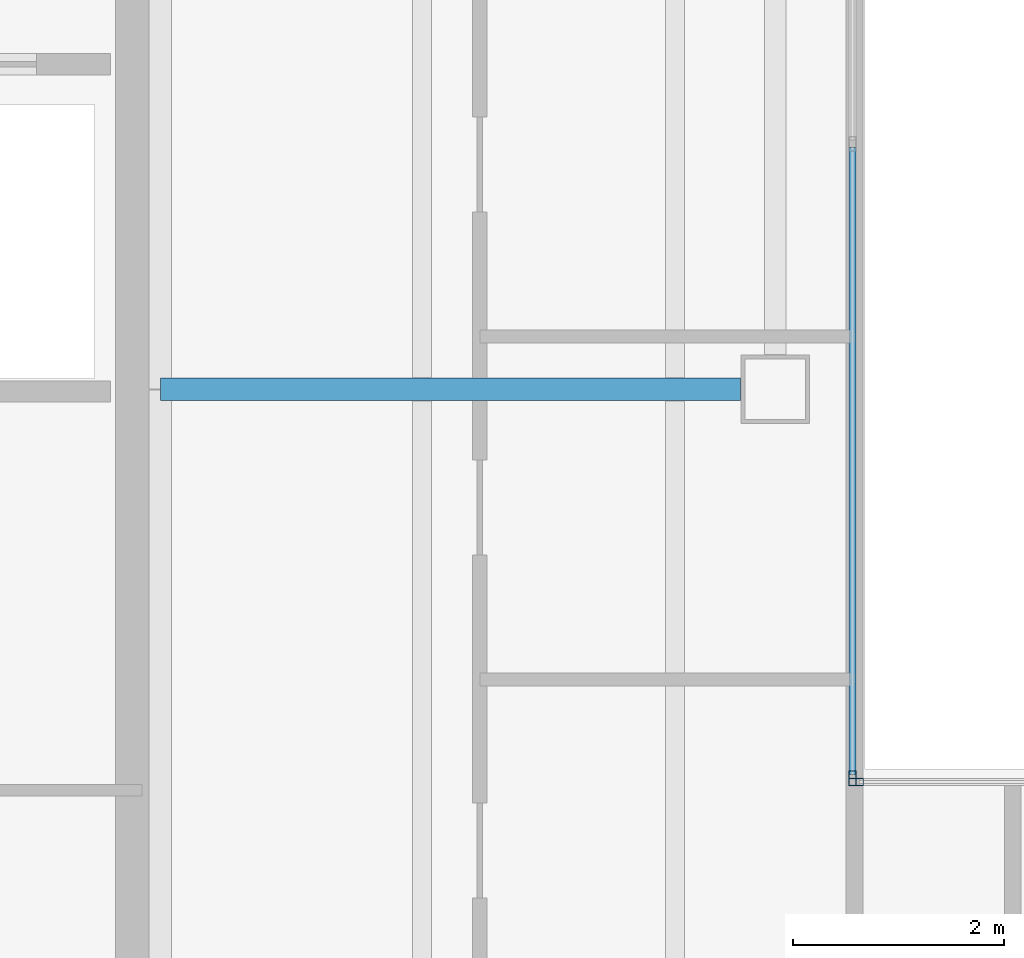
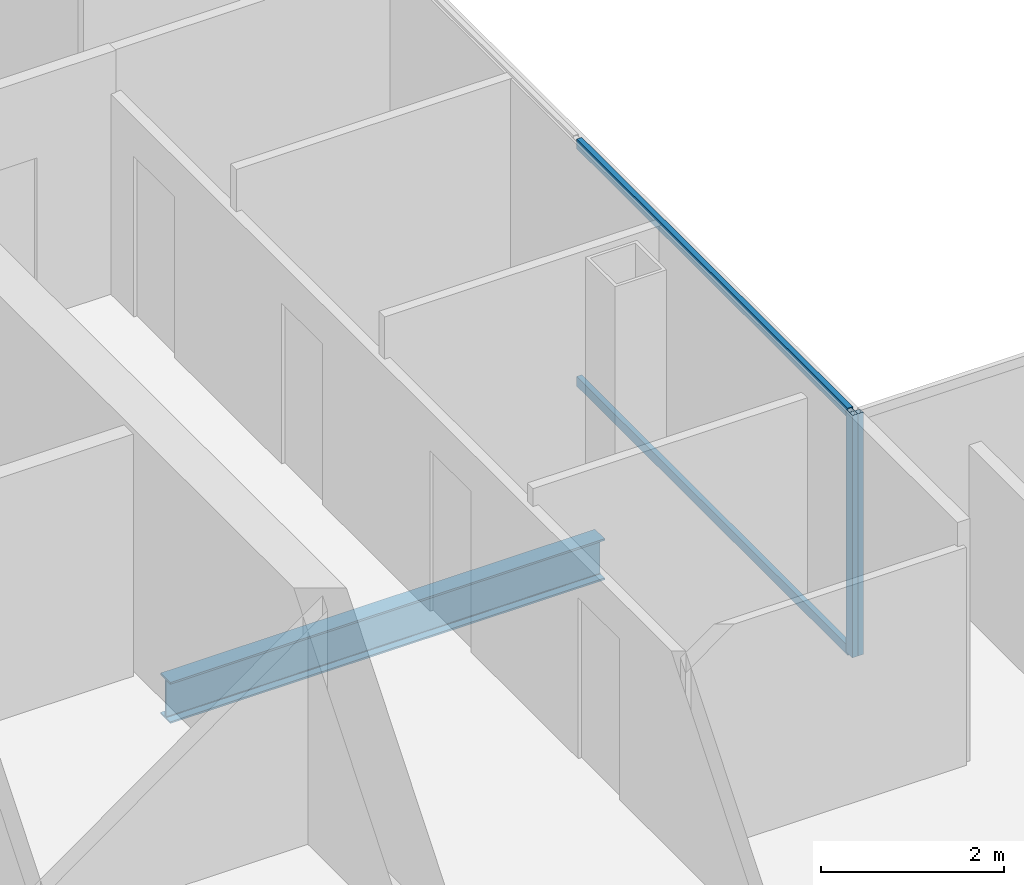
# One storey, part 8 of 24: 4 members, 1 beam, 2 elements without a shape of their own.
"""IFC4 building model written with IfcOpenShell, lengths in metres."""

from ifc_helpers import new_model, si_unit, direction, frame, origin, origin_2d, place, context, subcontext, project, spatial, hollow_rectangle, i_section, extrude, material, material_profile, profile_set, type_object, element, aggregate, save


model = new_model("IFC4")

# Units and contexts
model_context = context("Model", 3, precision=1e-05, world=origin(), true_north=direction((0.0, 1.0)))
body_context = subcontext(model_context, "Body", "Model", "MODEL_VIEW")
ifc_project = project(units=[si_unit("LENGTHUNIT", "METRE"), si_unit("AREAUNIT", "SQUARE_METRE"), si_unit("VOLUMEUNIT", "CUBIC_METRE"), si_unit("PLANEANGLEUNIT", "RADIAN"), si_unit("MASSUNIT", "GRAM", prefix="KILO")], contexts=[model_context])

# Site, building, storey
site_placement = place(None, origin())
site = spatial("IfcSite", under=ifc_project, at=site_placement, CompositionType="ELEMENT")
building_placement = place(site_placement, origin())
building = spatial("IfcBuilding", under=site, at=building_placement, Name="Cobrela Telecom Tower", CompositionType="ELEMENT")
storey_placement = place(building_placement, frame((0.0, 0.0, 290.14990234375)))
storey = spatial("IfcBuildingStorey", under=building, at=storey_placement, Name="L76", CompositionType="ELEMENT", Elevation=290.14990234375)

# Beam
ifc_material_1 = material(Name="Steel ASTM A992 Grade 50", Category="steel")
ifc_material_profile_1 = material_profile(ifc_material_1, i_section(OverallWidth=0.212890625, OverallDepth=0.549072265625, WebThickness=0.0146484375, FlangeThickness=0.023681640625, FilletRadius=0.013916015625, at=origin_2d()), Name="W21X93")
ifc_profile_set_1 = profile_set([ifc_material_profile_1], Name="Steel ASTM A992 Grade 50")
beam_type = type_object("IfcBeamType", Name="BM-GIRD-08", PredefinedType="USERDEFINED", material=ifc_profile_set_1)
beam_placement = place(storey_placement, frame((14.324951171875, 28.800048828125, -0.534423828125), z_axis=(1.0, 0.0, 0.0), x_axis=(0.0, 1.0, 0.0)))
element("IfcBeam", 1, at=beam_placement, inside=storey, type_object=beam_type, Name="L76 Primary Girder X15", ObjectType="GIRDER", PredefinedType="USERDEFINED", context=body_context, shape_type="SweptSolid", body=[
    extrude(i_section(OverallWidth=0.212890625, OverallDepth=0.549072265625, WebThickness=0.0146484375, FlangeThickness=0.023681640625, FilletRadius=0.013916015625, at=origin_2d()), origin(), (0.0, 0.0, 1.0), 5.4951171875),
])

# Curtain wall, member
ifc_material_2 = material(Name="Anodized Bronze Aluminium 6063-T6", Category="aluminium")
curtain_wall_type = type_object("IfcCurtainWallType", Name="CW-SYS-OFF-HI", PredefinedType="USERDEFINED", material=ifc_material_2)
curtain_wall_1_placement = place(storey_placement, origin())
curtain_wall_1 = element("IfcCurtainWall", 2, at=curtain_wall_1_placement, inside=storey, type_object=curtain_wall_type, Name="L76 Unitised Bronze Curtain Wall 08", ObjectType="UNITISED CURTAIN WALL", PredefinedType="USERDEFINED")
ifc_material_profile_2 = material_profile(ifc_material_2, hollow_rectangle(XDim=0.070068359375, YDim=0.139892578125, WallThickness=0.00390625, at=origin_2d()), Name="ALU 70x140x4")
ifc_profile_set_2 = profile_set([ifc_material_profile_2], Name="Anodized Bronze Aluminium 6063-T6")
member_type_1 = type_object("IfcMemberType", Name="CW-SYS-OFF-HI-MUL", PredefinedType="MULLION", material=ifc_profile_set_2)
member_1_placement = place(storey_placement, frame((20.8798828125, 25.114990234375, 0.0), z_axis=(0.0, 0.0, 1.0), x_axis=(1.0, 0.0, 0.0)))
member_1 = element("IfcMember", 3, at=member_1_placement, type_object=member_type_1, Name="CW-OFF-HI mullion 3", PredefinedType="MULLION", context=body_context, shape_type="SweptSolid", body=[
    extrude(hollow_rectangle(XDim=0.070068359375, YDim=0.139892578125, WallThickness=0.00390625, at=origin_2d()), origin(), (0.0, 0.0, 1.0), 3.239990234375),
])

curtain_wall_2_placement = place(storey_placement, origin())
curtain_wall_2 = element("IfcCurtainWall", 4, at=curtain_wall_2_placement, inside=storey, type_object=curtain_wall_type, Name="L76 Unitised Bronze Curtain Wall 09", ObjectType="UNITISED CURTAIN WALL", PredefinedType="USERDEFINED")
member_2_placement = place(storey_placement, frame((20.9150390625, 25.080078125, 0.0), z_axis=(0.0, 0.0, 1.0), x_axis=(0.0, 1.0, 0.0)))
member_2 = element("IfcMember", 5, at=member_2_placement, type_object=member_type_1, Name="CW-OFF-HI mullion 1", PredefinedType="MULLION", context=body_context, shape_type="SweptSolid", body=[
    extrude(hollow_rectangle(XDim=0.070068359375, YDim=0.139892578125, WallThickness=0.00390625, at=origin_2d()), origin(), (0.0, 0.0, 1.0), 3.239990234375),
])
aggregate(curtain_wall_2, [member_2])

# Member
ifc_material_profile_3 = material_profile(ifc_material_2, hollow_rectangle(XDim=0.06494140625, YDim=0.1298828125, WallThickness=0.00390625, at=origin_2d()), Name="ALU 65x130x4")
ifc_profile_set_3 = profile_set([ifc_material_profile_3], Name="Anodized Bronze Aluminium 6063-T6")
member_type_2 = type_object("IfcMemberType", Name="CW-SYS-OFF-HI-TRN", PredefinedType="USERDEFINED", material=ifc_profile_set_3)
member_3_placement = place(storey_placement, frame((20.8798828125, 31.090087890625, 0.03271484375), z_axis=(0.0, -1.0, 0.0), x_axis=(1.0, 0.0, 0.0)))
member_3 = element("IfcMember", 6, at=member_3_placement, type_object=member_type_2, Name="CW-OFF-HI transom 2.1", ObjectType="TRANSOM", PredefinedType="USERDEFINED", context=body_context, shape_type="SweptSolid", body=[
    extrude(hollow_rectangle(XDim=0.06494140625, YDim=0.1298828125, WallThickness=0.00390625, at=origin_2d()), origin(), (0.0, 0.0, 1.0), 5.940185546875),
])

member_4_placement = place(storey_placement, frame((20.8798828125, 31.090087890625, 3.20751953125), z_axis=(0.0, -1.0, 0.0), x_axis=(1.0, 0.0, 0.0)))
member_4 = element("IfcMember", 7, at=member_4_placement, type_object=member_type_2, Name="CW-OFF-HI transom 2.2", ObjectType="TRANSOM", PredefinedType="USERDEFINED", context=body_context, shape_type="SweptSolid", body=[
    extrude(hollow_rectangle(XDim=0.06494140625, YDim=0.1298828125, WallThickness=0.00390625, at=origin_2d()), origin(), (0.0, 0.0, 1.0), 5.940185546875),
])

aggregate(curtain_wall_1, [member_1, member_3, member_4])

save(model, "model.ifc")
